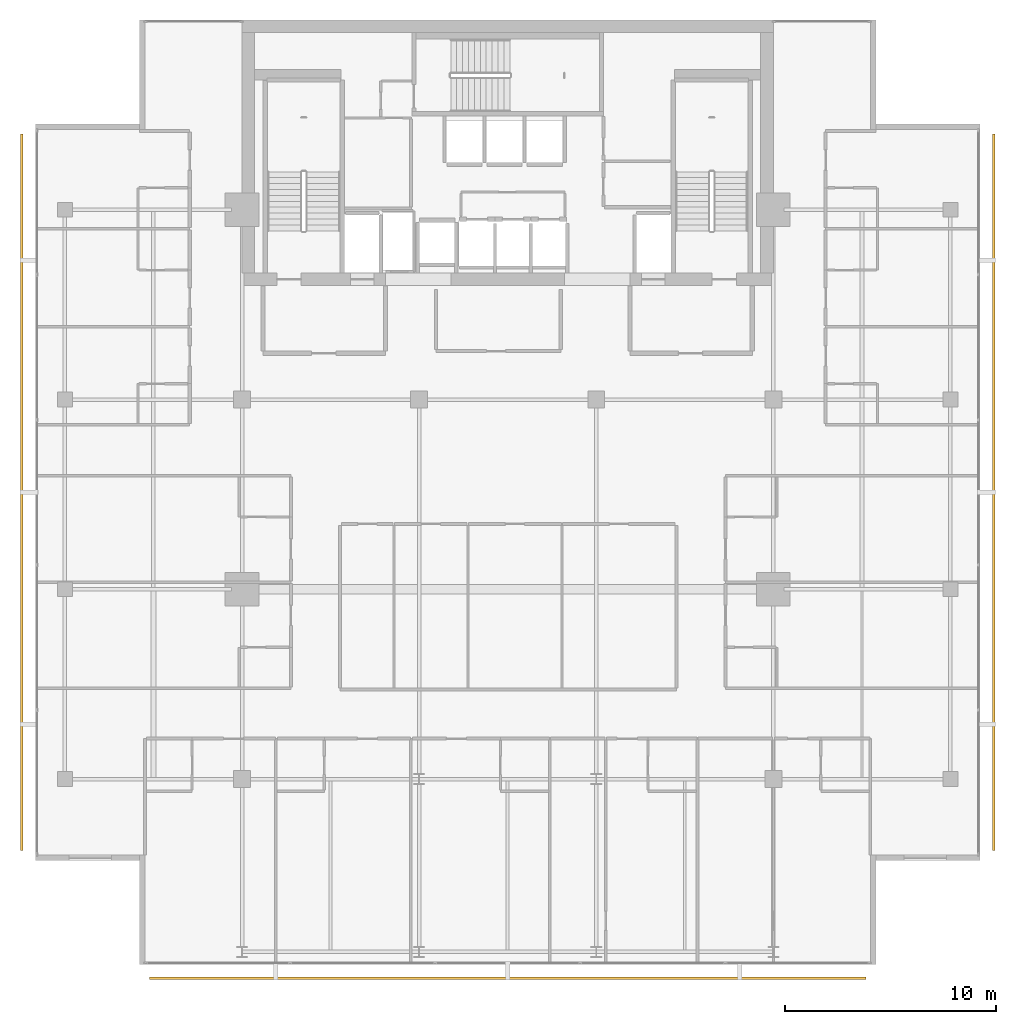
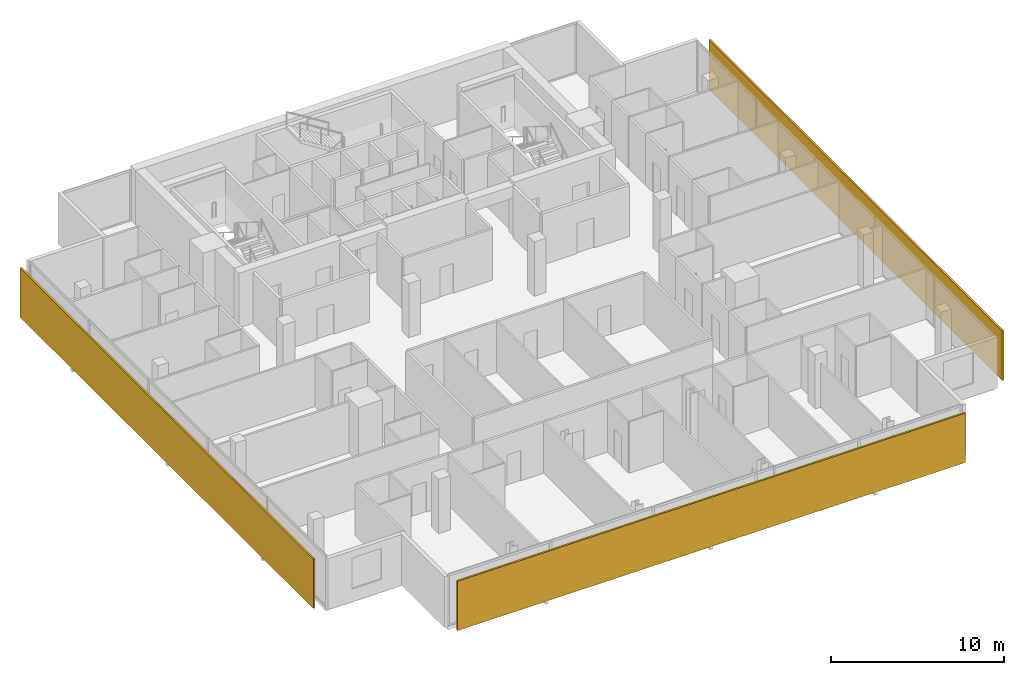
# One storey, part 25 of 26: 3 shading devices.
"""IFC4 building model written with IfcOpenShell, lengths in metres."""

from ifc_helpers import new_model, si_unit, direction, frame, origin, origin_2d, place, context, subcontext, project, spatial, rectangle, extrude, material, layer, layer_set, type_object, element, save


model = new_model("IFC4")

# Units and contexts
model_context = context("Model", 3, precision=1e-05, world=origin(), true_north=direction((0.0, 1.0)))
body_context = subcontext(model_context, "Body", "Model", "MODEL_VIEW")
ifc_project = project(units=[si_unit("LENGTHUNIT", "METRE"), si_unit("AREAUNIT", "SQUARE_METRE"), si_unit("VOLUMEUNIT", "CUBIC_METRE"), si_unit("PLANEANGLEUNIT", "RADIAN"), si_unit("MASSUNIT", "GRAM", prefix="KILO")], contexts=[model_context])

# Site, building, storey
site_placement = place(None, origin())
site = spatial("IfcSite", under=ifc_project, at=site_placement, CompositionType="ELEMENT")
building_placement = place(site_placement, origin())
building = spatial("IfcBuilding", under=site, at=building_placement, Name="Maruvema Waterfront Hotel and Observation Tower", CompositionType="ELEMENT")
storey_placement = place(building_placement, frame((0.0, 0.0, 293.300048828125)))
storey = spatial("IfcBuildingStorey", under=building, at=storey_placement, Name="L72", CompositionType="ELEMENT", Elevation=293.300048828125)

# Shading devices
ifc_material = material(Name="Honed travertine stone and anodised architectural bronze", Category="masonry")
ifc_layer = layer(ifc_material, 0.1201171875, Name="Ventilated Outer Skin Cobogo Stone-and-Bronze Screen 120 mm")
ifc_layer_set = layer_set([ifc_layer], Name="Honed travertine stone and anodised architectural bronze")
shading_device_type = type_object("IfcShadingDeviceType", Name="Ventilated Outer Skin Cobogo Stone-and-Bronze Screen 120 mm", PredefinedType="USERDEFINED", material=ifc_layer_set)
for number, where, z_axis, x_axis, name in (
    (1, (37.800048828125, 8.550048828125, 0.06005859375), (0.0, 0.0, 1.0), (1.0, 0.0, 0.0), "L72 Ventilated Double-Skin Outer Cobogo Screen OS-L72-S"),
    (2, (60.85009765625, 31.60009765625, 0.06005859375), (0.0, 0.0, 1.0), (0.0, 1.0, 0.0), "L72 Ventilated Double-Skin Outer Cobogo Screen OS-L72-E"),
    (3, (14.75, 31.60009765625, 0.06005859375), (0.0, 0.0, 1.0), (0.0, -1.0, 0.0), "L72 Ventilated Double-Skin Outer Cobogo Screen OS-L72-W"),
):
    element("IfcShadingDevice", number, at=place(storey_placement, frame(where, z_axis=z_axis, x_axis=x_axis)), inside=storey, type_object=shading_device_type, Name=name, ObjectType="OUTER SKIN SCREEN", PredefinedType="USERDEFINED", context=body_context, shape_type="SweptSolid", body=[
        extrude(rectangle(XDim=34.0, YDim=0.1201171875, at=origin_2d()), origin(), (0.0, 0.0, 1.0), 3.489990234375),
    ])

save(model, "model.ifc")
